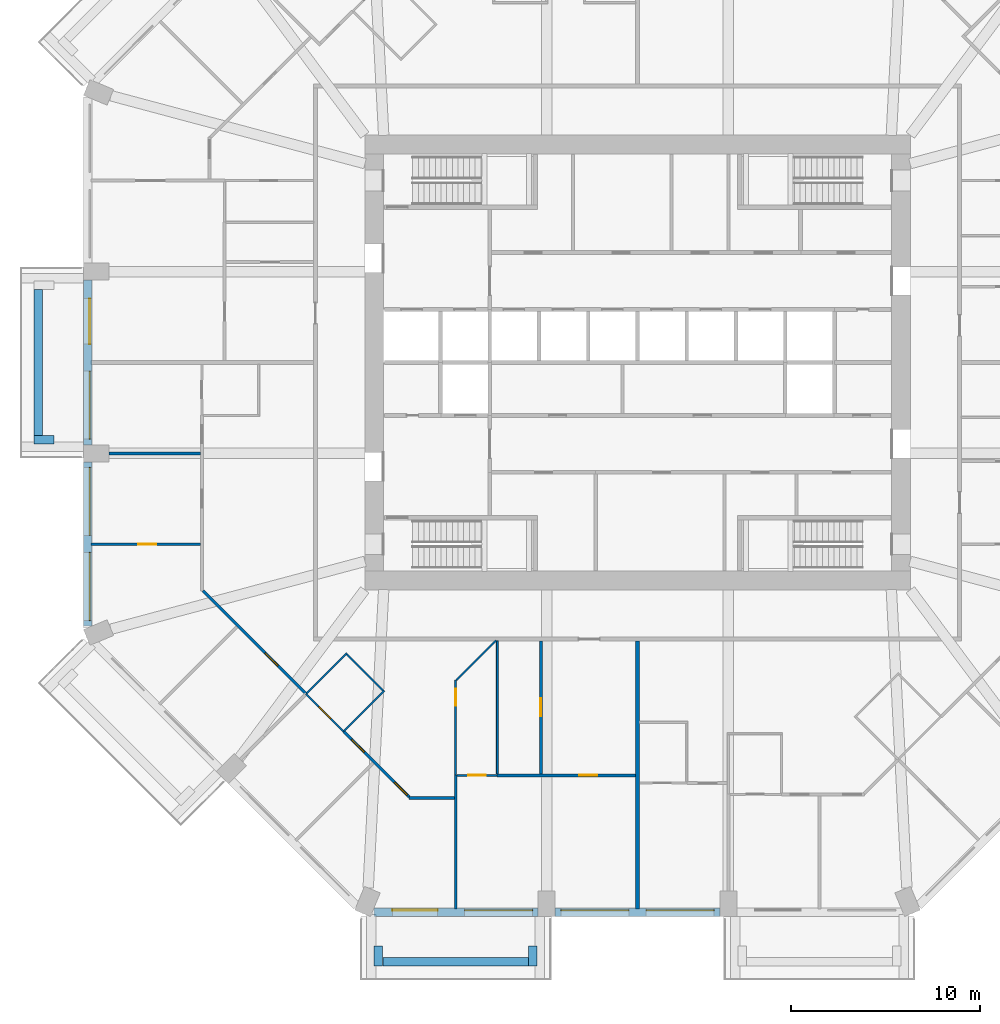
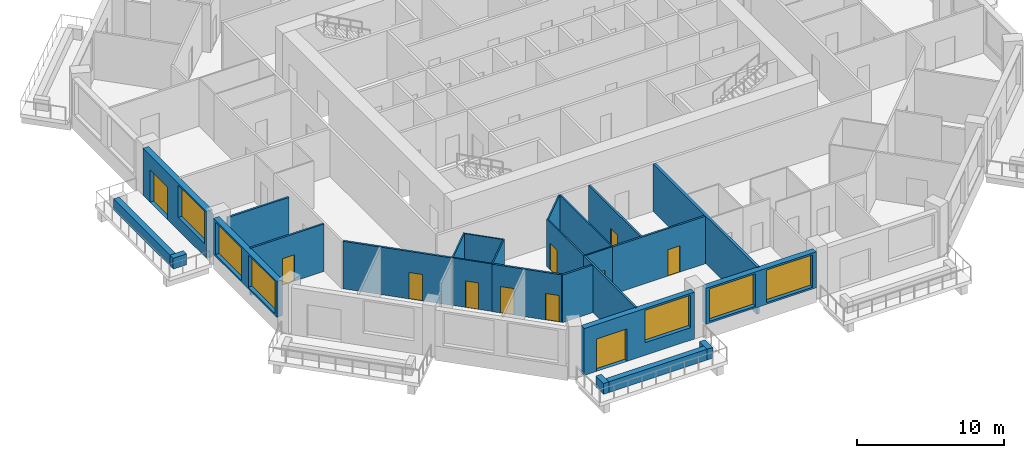
# One storey, part 3 of 13: 26 walls, 11 doors, 6 windows, 17 openings.
"""IFC4 building model written with IfcOpenShell, lengths in metres."""

from ifc_helpers import new_model, si_unit, direction, frame, frame_2d, origin, place, context, subcontext, project, spatial, rectangle, extrude, material, layer, layer_set, type_object, element, fill, save


model = new_model("IFC4")

# Units and contexts
model_context = context("Model", 3, precision=1e-05, world=origin(), true_north=direction((0.0, 1.0)))
body_context = subcontext(model_context, "Body", "Model", "MODEL_VIEW")
ifc_project = project(units=[si_unit("LENGTHUNIT", "METRE"), si_unit("AREAUNIT", "SQUARE_METRE"), si_unit("VOLUMEUNIT", "CUBIC_METRE"), si_unit("PLANEANGLEUNIT", "RADIAN"), si_unit("MASSUNIT", "GRAM", prefix="KILO")], contexts=[model_context])

# Site, building, storey
site_placement = place(None, origin())
site = spatial("IfcSite", under=ifc_project, at=site_placement, CompositionType="ELEMENT")
building_placement = place(site_placement, origin())
building = spatial("IfcBuilding", under=site, at=building_placement, Name="Msitu Wima Residences", CompositionType="ELEMENT")
storey_placement = place(building_placement, frame((0.0, 0.0, 42.300048828125)))
storey = spatial("IfcBuildingStorey", under=building, at=storey_placement, Name="L09", CompositionType="ELEMENT", Elevation=42.300048828125)

# Walls
ifc_material_1 = material(Name="Facing brick")
ifc_layer_1 = layer(ifc_material_1, 0.06494140625, Name="Facing brick")
ifc_material_2 = material(Name="Concrete C40/50", Category="concrete")
ifc_layer_2 = layer(ifc_material_2, 0.156005859375, Name="Concrete C40/50")
ifc_material_3 = material(Name="Waterproofing membrane")
ifc_layer_3 = layer(ifc_material_3, 0.00390625, Name="Waterproofing membrane")
ifc_material_4 = material(Name="Planting soil and planting")
ifc_layer_4 = layer(ifc_material_4, 0.22509765625, Name="Planting soil and planting")
ifc_layer_set_1 = layer_set([ifc_layer_1, ifc_layer_2, ifc_layer_3, ifc_layer_4], Name="Concrete C40/50")
wall_type_1 = type_object("IfcWallType", Name="Balcony planter PLANTER PL450", PredefinedType="USERDEFINED", material=ifc_layer_set_1)
wall_1_placement = place(storey_placement, frame((-31.625, 3.85009765625, 0.0), z_axis=(0.0, 0.0, 1.0), x_axis=(0.0, -1.0, 0.0)))
element("IfcWall", 1, at=wall_1_placement, inside=storey, type_object=wall_type_1, Name="Balcony planter W1 L09", ObjectType="PLANTER", PredefinedType="USERDEFINED", context=body_context, shape_type="SweptSolid", body=[
    extrude(rectangle(XDim=7.7001953125, YDim=0.449951171875, at=frame_2d((3.85009765625, 0.0))), origin(), (0.0, 0.0, 1.0), 0.89990234375),
])
wall_2_placement = place(storey_placement, frame((-30.800048828125, -4.074951171875, 0.0), z_axis=(0.0, 0.0, 1.0), x_axis=(-1.0, 0.0, 0.0)))
element("IfcWall", 2, at=wall_2_placement, inside=storey, type_object=wall_type_1, Name="Balcony planter W1 L09", ObjectType="PLANTER", PredefinedType="USERDEFINED", context=body_context, shape_type="SweptSolid", body=[
    extrude(rectangle(XDim=1.050048828125, YDim=0.449951171875, at=frame_2d((0.52490234375, 0.0))), origin(), (0.0, 0.0, 1.0), 0.89990234375),
])
wall_3_placement = place(storey_placement, frame((-13.449951171875, -31.625, 0.0), z_axis=(0.0, 0.0, 1.0), x_axis=(1.0, 0.0, 0.0)))
element("IfcWall", 3, at=wall_3_placement, inside=storey, type_object=wall_type_1, Name="Balcony planter S0 L09", ObjectType="PLANTER", PredefinedType="USERDEFINED", context=body_context, shape_type="SweptSolid", body=[
    extrude(rectangle(XDim=7.699951171875, YDim=0.449951171875, at=frame_2d((3.85009765625, 0.0))), origin(), (0.0, 0.0, 1.0), 0.89990234375),
])
for number, where, z_axis, x_axis, name in (
    (4, (-13.675048828125, -30.800048828125, 0.0), (0.0, 0.0, 1.0), (0.0, -1.0, 0.0), "Balcony planter S0 L09"),
    (5, (-5.52490234375, -30.800048828125, 0.0), (0.0, 0.0, 1.0), (0.0, -1.0, 0.0), "Balcony planter S0 L09"),
):
    element("IfcWall", number, at=place(storey_placement, frame(where, z_axis=z_axis, x_axis=x_axis)), inside=storey, type_object=wall_type_1, Name=name, ObjectType="PLANTER", PredefinedType="USERDEFINED", context=body_context, shape_type="SweptSolid", body=[
        extrude(rectangle(XDim=1.050048828125, YDim=0.449951171875, at=frame_2d((0.52490234375, 0.0))), origin(), (0.0, 0.0, 1.0), 0.89990234375),
    ])

# Wall, openings, door, window
ifc_material_5 = material(Name="Brick (red buff mix)", Category="masonry")
ifc_layer_5 = layer(ifc_material_5, 0.449951171875)
ifc_layer_set_2 = layer_set([ifc_layer_5], Name="Brick (red buff mix)")
wall_type_2 = type_object("IfcWallType", Name="Brick infill wall BW450", PredefinedType="SOLIDWALL", material=ifc_layer_set_2)
wall_4_placement = place(storey_placement, frame((-29.02490234375, 4.35009765625, 0.0), z_axis=(0.0, 0.0, 1.0), x_axis=(0.0, -1.0, 0.0)))
wall_4 = element("IfcWall", 6, at=wall_4_placement, inside=storey, type_object=wall_type_2, Name="Brick infill wall L09 W1", PredefinedType="SOLIDWALL", context=body_context, shape_type="SweptSolid", body=[
    extrude(rectangle(XDim=8.7001953125, YDim=0.449951171875, at=frame_2d((4.35009765625, 0.0))), origin(), (0.0, 0.0, 1.0), 3.89990234375),
])
opening_1_placement = place(wall_4_placement, frame((0.97509765625, 0.0, 0.0)))
opening_1 = element("IfcOpeningElement", 7, at=opening_1_placement, cuts=wall_4, Name="Opening D08-10.010", PredefinedType="OPENING", context=body_context, shape_type="SweptSolid", body=[
    extrude(rectangle(XDim=2.39990234375, YDim=2.699951171875, at=frame_2d((1.199951171875, 1.35009765625))), frame((0.0, 0.23486328125, 0.0), z_axis=(0.0, -1.0, 0.0), x_axis=(1.0, 0.0, 0.0)), (0.0, 0.0, 1.0), 0.469970703125),
])
opening_2_placement = place(wall_4_placement, frame((4.800048828125, 0.0, 1.050048828125)))
opening_2 = element("IfcOpeningElement", 8, at=opening_2_placement, cuts=wall_4, Name="Opening W08-10.028", PredefinedType="OPENING", context=body_context, shape_type="SweptSolid", body=[
    extrude(rectangle(XDim=3.60009765625, YDim=2.699951171875, at=frame_2d((1.800048828125, 1.35009765625))), frame((0.0, 0.23486328125, 0.0), z_axis=(0.0, -1.0, 0.0), x_axis=(1.0, 0.0, 0.0)), (0.0, 0.0, 1.0), 0.469970703125),
])
ifc_material_6 = material(Name="Anodised aluminium, bronze finish, clear low-emissivity double glazing", Category="aluminium")
door_type_1 = type_object("IfcDoorType", Name="Balcony door D2400x2700", OperationType="SLIDING_TO_LEFT", PredefinedType="DOOR", material=ifc_material_6)
door_1_placement = place(opening_1_placement, origin())
door_1 = element("IfcDoor", 9, at=door_1_placement, inside=storey, type_object=door_type_1, Name="Balcony door L09 W1", OperationType="SINGLE_SWING_LEFT", OverallHeight=2.699951171875, OverallWidth=2.39990234375, PredefinedType="DOOR", context=body_context, shape_type="SweptSolid", body=[
    extrude(rectangle(XDim=2.39990234375, YDim=2.699951171875, at=frame_2d((1.199951171875, 1.35009765625))), frame((0.0, 0.1298828125, 0.0), z_axis=(0.0, -1.0, 0.0), x_axis=(1.0, 0.0, 0.0)), (0.0, 0.0, 1.0), 0.050048828125),
])
fill(opening_1, door_1)
window_type = type_object("IfcWindowType", Name="Window W3600x2700", PartitioningType="DOUBLE_PANEL_VERTICAL", PredefinedType="WINDOW", material=ifc_material_6)
window_1_placement = place(opening_2_placement, origin())
window_1 = element("IfcWindow", 10, at=window_1_placement, inside=storey, type_object=window_type, Name="Window L09 W1.2", OverallHeight=2.699951171875, OverallWidth=3.60009765625, PartitioningType="SINGLE_PANEL", PredefinedType="WINDOW", context=body_context, shape_type="SweptSolid", body=[
    extrude(rectangle(XDim=3.60009765625, YDim=2.699951171875, at=frame_2d((1.800048828125, 1.35009765625))), frame((0.0, 0.135009765625, 0.0), z_axis=(0.0, -1.0, 0.0), x_axis=(1.0, 0.0, 0.0)), (0.0, 0.0, 1.0), 0.06005859375),
])
fill(opening_2, window_1)

# Wall, openings, windows
wall_5_placement = place(storey_placement, frame((-29.02490234375, -5.25, 0.89990234375), z_axis=(0.0, 0.0, 1.0), x_axis=(0.0, -1.0, 0.0)))
wall_5 = element("IfcWall", 11, at=wall_5_placement, inside=storey, type_object=wall_type_2, Name="Brick infill wall L09 W2", PredefinedType="SOLIDWALL", context=body_context, shape_type="SweptSolid", body=[
    extrude(rectangle(XDim=8.662841796875, YDim=0.449951171875, at=frame_2d((4.33154296875, 0.0))), origin(), (0.0, 0.0, 1.0), 3.0),
])
opening_3_placement = place(wall_5_placement, frame((0.281494140625, 0.0, 0.14990234375)))
opening_3 = element("IfcOpeningElement", 12, at=opening_3_placement, cuts=wall_5, Name="Opening W08-10.029", PredefinedType="OPENING", context=body_context, shape_type="SweptSolid", body=[
    extrude(rectangle(XDim=3.60009765625, YDim=2.699951171875, at=frame_2d((1.800048828125, 1.35009765625))), frame((0.0, 0.23486328125, 0.0), z_axis=(0.0, -1.0, 0.0), x_axis=(1.0, 0.0, 0.0)), (0.0, 0.0, 1.0), 0.469970703125),
])
opening_4_placement = place(wall_5_placement, frame((4.781494140625, 0.0, 0.14990234375)))
opening_4 = element("IfcOpeningElement", 13, at=opening_4_placement, cuts=wall_5, Name="Opening W08-10.030", PredefinedType="OPENING", context=body_context, shape_type="SweptSolid", body=[
    extrude(rectangle(XDim=3.60009765625, YDim=2.699951171875, at=frame_2d((1.800048828125, 1.35009765625))), frame((0.0, 0.23486328125, 0.0), z_axis=(0.0, -1.0, 0.0), x_axis=(1.0, 0.0, 0.0)), (0.0, 0.0, 1.0), 0.469970703125),
])
window_2_placement = place(opening_3_placement, origin())
window_2 = element("IfcWindow", 14, at=window_2_placement, inside=storey, type_object=window_type, Name="Window L09 W2.1", OverallHeight=2.699951171875, OverallWidth=3.60009765625, PartitioningType="SINGLE_PANEL", PredefinedType="WINDOW", context=body_context, shape_type="SweptSolid", body=[
    extrude(rectangle(XDim=3.60009765625, YDim=2.699951171875, at=frame_2d((1.800048828125, 1.35009765625))), frame((0.0, 0.135009765625, 0.0), z_axis=(0.0, -1.0, 0.0), x_axis=(1.0, 0.0, 0.0)), (0.0, 0.0, 1.0), 0.06005859375),
])
fill(opening_3, window_2)
window_3_placement = place(opening_4_placement, origin())
window_3 = element("IfcWindow", 15, at=window_3_placement, inside=storey, type_object=window_type, Name="Window L09 W2.2", OverallHeight=2.699951171875, OverallWidth=3.60009765625, PartitioningType="SINGLE_PANEL", PredefinedType="WINDOW", context=body_context, shape_type="SweptSolid", body=[
    extrude(rectangle(XDim=3.60009765625, YDim=2.699951171875, at=frame_2d((1.800048828125, 1.35009765625))), frame((0.0, 0.135009765625, 0.0), z_axis=(0.0, -1.0, 0.0), x_axis=(1.0, 0.0, 0.0)), (0.0, 0.0, 1.0), 0.06005859375),
])
fill(opening_4, window_3)

# Wall, openings, door, window
wall_6_placement = place(storey_placement, frame((-13.912841796875, -29.02490234375, 0.0), z_axis=(0.0, 0.0, 1.0), x_axis=(1.0, 0.0, 0.0)))
wall_6 = element("IfcWall", 16, at=wall_6_placement, inside=storey, type_object=wall_type_2, Name="Brick infill wall L09 S0", PredefinedType="SOLIDWALL", context=body_context, shape_type="SweptSolid", body=[
    extrude(rectangle(XDim=8.662841796875, YDim=0.449951171875, at=frame_2d((4.33154296875, 0.0))), origin(), (0.0, 0.0, 1.0), 3.89990234375),
])
opening_5_placement = place(wall_6_placement, frame((0.9658203125, 0.0, 0.0)))
opening_5 = element("IfcOpeningElement", 17, at=opening_5_placement, cuts=wall_6, Name="Opening D08-10.006", PredefinedType="OPENING", context=body_context, shape_type="SweptSolid", body=[
    extrude(rectangle(XDim=2.39990234375, YDim=2.699951171875, at=frame_2d((1.199951171875, 1.35009765625))), frame((0.0, 0.23486328125, 0.0), z_axis=(0.0, -1.0, 0.0), x_axis=(1.0, 0.0, 0.0)), (0.0, 0.0, 1.0), 0.469970703125),
])
opening_6_placement = place(wall_6_placement, frame((4.781494140625, 0.0, 1.050048828125)))
opening_6 = element("IfcOpeningElement", 18, at=opening_6_placement, cuts=wall_6, Name="Opening W08-10.016", PredefinedType="OPENING", context=body_context, shape_type="SweptSolid", body=[
    extrude(rectangle(XDim=3.60009765625, YDim=2.699951171875, at=frame_2d((1.800048828125, 1.35009765625))), frame((0.0, 0.23486328125, 0.0), z_axis=(0.0, -1.0, 0.0), x_axis=(1.0, 0.0, 0.0)), (0.0, 0.0, 1.0), 0.469970703125),
])
door_2_placement = place(opening_5_placement, origin())
door_2 = element("IfcDoor", 19, at=door_2_placement, inside=storey, type_object=door_type_1, Name="Balcony door L09 S0", OperationType="SINGLE_SWING_LEFT", OverallHeight=2.699951171875, OverallWidth=2.39990234375, PredefinedType="DOOR", context=body_context, shape_type="SweptSolid", body=[
    extrude(rectangle(XDim=2.39990234375, YDim=2.699951171875, at=frame_2d((1.199951171875, 1.35009765625))), frame((0.0, 0.1298828125, 0.0), z_axis=(0.0, -1.0, 0.0), x_axis=(1.0, 0.0, 0.0)), (0.0, 0.0, 1.0), 0.050048828125),
])
fill(opening_5, door_2)
window_4_placement = place(opening_6_placement, origin())
window_4 = element("IfcWindow", 20, at=window_4_placement, inside=storey, type_object=window_type, Name="Window L09 S0.2", OverallHeight=2.699951171875, OverallWidth=3.60009765625, PartitioningType="SINGLE_PANEL", PredefinedType="WINDOW", context=body_context, shape_type="SweptSolid", body=[
    extrude(rectangle(XDim=3.60009765625, YDim=2.699951171875, at=frame_2d((1.800048828125, 1.35009765625))), frame((0.0, 0.135009765625, 0.0), z_axis=(0.0, -1.0, 0.0), x_axis=(1.0, 0.0, 0.0)), (0.0, 0.0, 1.0), 0.06005859375),
])
fill(opening_6, window_4)

# Wall, openings, windows
wall_7_placement = place(storey_placement, frame((-4.35009765625, -29.02490234375, 0.89990234375), z_axis=(0.0, 0.0, 1.0), x_axis=(1.0, 0.0, 0.0)))
wall_7 = element("IfcWall", 21, at=wall_7_placement, inside=storey, type_object=wall_type_2, Name="Brick infill wall L09 S1", PredefinedType="SOLIDWALL", context=body_context, shape_type="SweptSolid", body=[
    extrude(rectangle(XDim=8.7001953125, YDim=0.449951171875, at=frame_2d((4.35009765625, 0.0))), origin(), (0.0, 0.0, 1.0), 3.0),
])
opening_7_placement = place(wall_7_placement, frame((0.300048828125, 0.0, 0.14990234375)))
opening_7 = element("IfcOpeningElement", 22, at=opening_7_placement, cuts=wall_7, Name="Opening W08-10.017", PredefinedType="OPENING", context=body_context, shape_type="SweptSolid", body=[
    extrude(rectangle(XDim=3.60009765625, YDim=2.699951171875, at=frame_2d((1.800048828125, 1.35009765625))), frame((0.0, 0.23486328125, 0.0), z_axis=(0.0, -1.0, 0.0), x_axis=(1.0, 0.0, 0.0)), (0.0, 0.0, 1.0), 0.469970703125),
])
opening_8_placement = place(wall_7_placement, frame((4.800048828125, 0.0, 0.14990234375)))
opening_8 = element("IfcOpeningElement", 23, at=opening_8_placement, cuts=wall_7, Name="Opening W08-10.018", PredefinedType="OPENING", context=body_context, shape_type="SweptSolid", body=[
    extrude(rectangle(XDim=3.60009765625, YDim=2.699951171875, at=frame_2d((1.800048828125, 1.35009765625))), frame((0.0, 0.23486328125, 0.0), z_axis=(0.0, -1.0, 0.0), x_axis=(1.0, 0.0, 0.0)), (0.0, 0.0, 1.0), 0.469970703125),
])
window_5_placement = place(opening_7_placement, origin())
window_5 = element("IfcWindow", 24, at=window_5_placement, inside=storey, type_object=window_type, Name="Window L09 S1.1", OverallHeight=2.699951171875, OverallWidth=3.60009765625, PartitioningType="SINGLE_PANEL", PredefinedType="WINDOW", context=body_context, shape_type="SweptSolid", body=[
    extrude(rectangle(XDim=3.60009765625, YDim=2.699951171875, at=frame_2d((1.800048828125, 1.35009765625))), frame((0.0, 0.135009765625, 0.0), z_axis=(0.0, -1.0, 0.0), x_axis=(1.0, 0.0, 0.0)), (0.0, 0.0, 1.0), 0.06005859375),
])
fill(opening_7, window_5)
window_6_placement = place(opening_8_placement, origin())
window_6 = element("IfcWindow", 25, at=window_6_placement, inside=storey, type_object=window_type, Name="Window L09 S1.2", OverallHeight=2.699951171875, OverallWidth=3.60009765625, PartitioningType="SINGLE_PANEL", PredefinedType="WINDOW", context=body_context, shape_type="SweptSolid", body=[
    extrude(rectangle(XDim=3.60009765625, YDim=2.699951171875, at=frame_2d((1.800048828125, 1.35009765625))), frame((0.0, 0.135009765625, 0.0), z_axis=(0.0, -1.0, 0.0), x_axis=(1.0, 0.0, 0.0)), (0.0, 0.0, 1.0), 0.06005859375),
])
fill(opening_8, window_6)

# Wall, opening, door
ifc_material_7 = material(Name="Plaster")
ifc_layer_6 = layer(ifc_material_7, 0.011962890625, Name="Plaster")
ifc_material_8 = material(Name="Concrete blockwork", Category="masonry")
ifc_layer_7 = layer(ifc_material_8, 0.1259765625, Name="Concrete blockwork")
ifc_layer_8 = layer(ifc_material_7, 0.011962890625, Name="Plaster")
ifc_layer_set_3 = layer_set([ifc_layer_6, ifc_layer_7, ifc_layer_8], Name="Concrete blockwork")
wall_type_3 = type_object("IfcWallType", Name="Partition PW150", PredefinedType="PARTITIONING", material=ifc_layer_set_3)
wall_8_placement = place(storey_placement, frame((-28.85498046875, -9.60009765625, 0.0), z_axis=(0.0, 0.0, 1.0), x_axis=(1.0, 0.0, 0.0)))
wall_8 = element("IfcWall", 26, at=wall_8_placement, inside=storey, type_object=wall_type_3, Name="Partition", PredefinedType="PARTITIONING", context=body_context, shape_type="SweptSolid", body=[
    extrude(rectangle(XDim=5.780029296875, YDim=0.14990234375, at=frame_2d((2.89013671875, 0.0))), origin(), (0.0, 0.0, 1.0), 3.949951171875),
])
opening_9_placement = place(wall_8_placement, frame((2.5, 0.0, 0.0)))
opening_9 = element("IfcOpeningElement", 27, at=opening_9_placement, cuts=wall_8, Name="Opening D08-10.069", PredefinedType="OPENING", context=body_context, shape_type="SweptSolid", body=[
    extrude(rectangle(XDim=0.949951171875, YDim=2.199951171875, at=frame_2d((0.47509765625, 1.10009765625))), frame((0.0, 0.0849609375, 0.0), z_axis=(0.0, -1.0, 0.0), x_axis=(1.0, 0.0, 0.0)), (0.0, 0.0, 1.0), 0.169921875),
])
ifc_material_9 = material(Name="Timber flush door", Category="wood")
door_type_2 = type_object("IfcDoorType", Name="Room door D12 950x2200", OperationType="SINGLE_SWING_LEFT", PredefinedType="DOOR", material=ifc_material_9)
door_3_placement = place(opening_9_placement, origin())
door_3 = element("IfcDoor", 28, at=door_3_placement, inside=storey, type_object=door_type_2, Name="Room door", OperationType="SINGLE_SWING_LEFT", OverallHeight=2.199951171875, OverallWidth=0.949951171875, PredefinedType="DOOR", context=body_context, shape_type="SweptSolid", body=[
    extrude(rectangle(XDim=0.949951171875, YDim=2.199951171875, at=frame_2d((0.47509765625, 1.10009765625))), frame((0.0, 0.02490234375, 0.0), z_axis=(0.0, -1.0, 0.0), x_axis=(1.0, 0.0, 0.0)), (0.0, 0.0, 1.0), 0.050048828125),
])
fill(opening_9, door_3)

# Wall
wall_9_placement = place(storey_placement, frame((-27.89990234375, -4.800048828125, 0.0), z_axis=(0.0, 0.0, 1.0), x_axis=(1.0, 0.0, 0.0)))
element("IfcWall", 29, at=wall_9_placement, inside=storey, type_object=wall_type_3, Name="Partition", PredefinedType="PARTITIONING", context=body_context, shape_type="SweptSolid", body=[
    extrude(rectangle(XDim=4.824951171875, YDim=0.14990234375, at=frame_2d((2.41259765625, 0.0))), origin(), (0.0, 0.0, 1.0), 3.25),
])

# Wall, opening, door
wall_10_placement = place(storey_placement, frame((-22.947021484375, -12.050537109375, 0.0), z_axis=(0.0, 0.0, 1.0), x_axis=(0.707106781187, -0.707106781187, 0.0)))
wall_10 = element("IfcWall", 30, at=wall_10_placement, inside=storey, type_object=wall_type_3, Name="Partition", PredefinedType="PARTITIONING", context=body_context, shape_type="SweptSolid", body=[
    extrude(rectangle(XDim=7.705078125, YDim=0.14990234375, at=frame_2d((3.8525390625, 0.0))), origin(), (0.0, 0.0, 1.0), 3.949951171875),
])
opening_10_placement = place(wall_10_placement, frame((4.64990234375, 0.0, 0.0)))
opening_10 = element("IfcOpeningElement", 31, at=opening_10_placement, cuts=wall_10, Name="Opening D08-10.064", PredefinedType="OPENING", context=body_context, shape_type="SweptSolid", body=[
    extrude(rectangle(XDim=0.949951171875, YDim=2.199951171875, at=frame_2d((0.47509765625, 1.10009765625))), frame((0.0, 0.0849609375, 0.0), z_axis=(0.0, -1.0, 0.0), x_axis=(1.0, 0.0, 0.0)), (0.0, 0.0, 1.0), 0.169921875),
])
door_4_placement = place(opening_10_placement, origin())
door_4 = element("IfcDoor", 32, at=door_4_placement, inside=storey, type_object=door_type_2, Name="Room door", OperationType="SINGLE_SWING_RIGHT", OverallHeight=2.199951171875, OverallWidth=0.949951171875, PredefinedType="DOOR", context=body_context, shape_type="SweptSolid", body=[
    extrude(rectangle(XDim=0.949951171875, YDim=2.199951171875, at=frame_2d((0.47509765625, 1.10009765625))), frame((0.0, 0.02490234375, 0.0), z_axis=(0.0, -1.0, 0.0), x_axis=(1.0, 0.0, 0.0)), (0.0, 0.0, 1.0), 0.050048828125),
])
fill(opening_10, door_4)

# Wall, openings, doors
wall_11_placement = place(storey_placement, frame((-15.518798828125, -19.478759765625, 0.0), z_axis=(0.0, 0.0, 1.0), x_axis=(0.707106781187, -0.707106781187, 0.0)))
wall_11 = element("IfcWall", 33, at=wall_11_placement, inside=storey, type_object=wall_type_3, Name="Partition", PredefinedType="PARTITIONING", context=body_context, shape_type="SweptSolid", body=[
    extrude(rectangle(XDim=4.90478515625, YDim=0.14990234375, at=frame_2d((2.452392578125, 0.0))), origin(), (0.0, 0.0, 1.0), 3.949951171875),
])
opening_11_placement = place(wall_11_placement, frame((0.60009765625, 0.0, 0.0)))
opening_11 = element("IfcOpeningElement", 34, at=opening_11_placement, cuts=wall_11, Name="Opening D08-10.065", PredefinedType="OPENING", context=body_context, shape_type="SweptSolid", body=[
    extrude(rectangle(XDim=0.949951171875, YDim=2.199951171875, at=frame_2d((0.47509765625, 1.10009765625))), frame((0.0, 0.0849609375, 0.0), z_axis=(0.0, -1.0, 0.0), x_axis=(1.0, 0.0, 0.0)), (0.0, 0.0, 1.0), 0.169921875),
])
opening_12_placement = place(wall_11_placement, frame((3.800048828125, 0.0, 0.0)))
opening_12 = element("IfcOpeningElement", 35, at=opening_12_placement, cuts=wall_11, Name="Opening D08-10.070", PredefinedType="OPENING", context=body_context, shape_type="SweptSolid", body=[
    extrude(rectangle(XDim=0.949951171875, YDim=2.199951171875, at=frame_2d((0.47509765625, 1.10009765625))), frame((0.0, 0.0849609375, 0.0), z_axis=(0.0, -1.0, 0.0), x_axis=(1.0, 0.0, 0.0)), (0.0, 0.0, 1.0), 0.169921875),
])
door_5_placement = place(opening_11_placement, origin())
door_5 = element("IfcDoor", 36, at=door_5_placement, inside=storey, type_object=door_type_2, Name="Room door", OperationType="SINGLE_SWING_LEFT", OverallHeight=2.199951171875, OverallWidth=0.949951171875, PredefinedType="DOOR", context=body_context, shape_type="SweptSolid", body=[
    extrude(rectangle(XDim=0.949951171875, YDim=2.199951171875, at=frame_2d((0.47509765625, 1.10009765625))), frame((0.0, 0.02490234375, 0.0), z_axis=(0.0, -1.0, 0.0), x_axis=(1.0, 0.0, 0.0)), (0.0, 0.0, 1.0), 0.050048828125),
])
fill(opening_11, door_5)
door_6_placement = place(opening_12_placement, origin())
door_6 = element("IfcDoor", 37, at=door_6_placement, inside=storey, type_object=door_type_2, Name="Room door", OperationType="SINGLE_SWING_RIGHT", OverallHeight=2.199951171875, OverallWidth=0.949951171875, PredefinedType="DOOR", context=body_context, shape_type="SweptSolid", body=[
    extrude(rectangle(XDim=0.949951171875, YDim=2.199951171875, at=frame_2d((0.47509765625, 1.10009765625))), frame((0.0, 0.02490234375, 0.0), z_axis=(0.0, -1.0, 0.0), x_axis=(1.0, 0.0, 0.0)), (0.0, 0.0, 1.0), 0.050048828125),
])
fill(opening_12, door_6)

# Walls
wall_12_placement = place(storey_placement, frame((-12.072509765625, -23.0, 0.0), z_axis=(0.0, 0.0, 1.0), x_axis=(1.0, 0.0, 0.0)))
element("IfcWall", 38, at=wall_12_placement, inside=storey, type_object=wall_type_3, Name="Partition", PredefinedType="PARTITIONING", context=body_context, shape_type="SweptSolid", body=[
    extrude(rectangle(XDim=2.3974609375, YDim=0.14990234375, at=frame_2d((1.19873046875, 0.0))), origin(), (0.0, 0.0, 1.0), 3.949951171875),
])
wall_13_placement = place(storey_placement, frame((-9.60009765625, -28.85498046875, 0.0), z_axis=(0.0, 0.0, 1.0), x_axis=(0.0, 1.0, 0.0)))
element("IfcWall", 39, at=wall_13_placement, inside=storey, type_object=wall_type_3, Name="Partition", PredefinedType="PARTITIONING", context=body_context, shape_type="SweptSolid", body=[
    extrude(rectangle(XDim=7.074951171875, YDim=0.14990234375, at=frame_2d((3.53759765625, 0.0))), origin(), (0.0, 0.0, 1.0), 3.949951171875),
])

# Wall, opening, door
wall_14_placement = place(storey_placement, frame((-7.419921875, -21.800048828125, 0.0), z_axis=(0.0, 0.0, 1.0), x_axis=(1.0, 0.0, 0.0)))
wall_14 = element("IfcWall", 40, at=wall_14_placement, inside=storey, type_object=wall_type_3, Name="Partition", PredefinedType="PARTITIONING", context=body_context, shape_type="SweptSolid", body=[
    extrude(rectangle(XDim=7.31982421875, YDim=0.14990234375, at=frame_2d((3.659912109375, 0.0))), origin(), (0.0, 0.0, 1.0), 3.949951171875),
])
opening_13_placement = place(wall_14_placement, frame((4.35009765625, 0.0, 0.0)))
opening_13 = element("IfcOpeningElement", 41, at=opening_13_placement, cuts=wall_14, Name="Opening D08-10.058", PredefinedType="OPENING", context=body_context, shape_type="SweptSolid", body=[
    extrude(rectangle(XDim=0.949951171875, YDim=2.199951171875, at=frame_2d((0.47509765625, 1.10009765625))), frame((0.0, 0.0849609375, 0.0), z_axis=(0.0, -1.0, 0.0), x_axis=(1.0, 0.0, 0.0)), (0.0, 0.0, 1.0), 0.169921875),
])
door_7_placement = place(opening_13_placement, origin())
door_7 = element("IfcDoor", 42, at=door_7_placement, inside=storey, type_object=door_type_2, Name="Room door", OperationType="SINGLE_SWING_LEFT", OverallHeight=2.199951171875, OverallWidth=0.949951171875, PredefinedType="DOOR", context=body_context, shape_type="SweptSolid", body=[
    extrude(rectangle(XDim=0.949951171875, YDim=2.199951171875, at=frame_2d((0.47509765625, 1.10009765625))), frame((0.0, 0.02490234375, 0.0), z_axis=(0.0, -1.0, 0.0), x_axis=(1.0, 0.0, 0.0)), (0.0, 0.0, 1.0), 0.050048828125),
])
fill(opening_13, door_7)

wall_15_placement = place(storey_placement, frame((-5.10009765625, -21.72509765625, 0.0), z_axis=(0.0, 0.0, 1.0), x_axis=(0.0, 1.0, 0.0)))
wall_15 = element("IfcWall", 43, at=wall_15_placement, inside=storey, type_object=wall_type_3, Name="Partition", PredefinedType="PARTITIONING", context=body_context, shape_type="SweptSolid", body=[
    extrude(rectangle(XDim=7.025146484375, YDim=0.14990234375, at=frame_2d((3.5126953125, 0.0))), origin(), (0.0, 0.0, 1.0), 3.949951171875),
])
opening_14_placement = place(wall_15_placement, frame((3.050048828125, 0.0, 0.0)))
opening_14 = element("IfcOpeningElement", 44, at=opening_14_placement, cuts=wall_15, Name="Opening D08-10.059", PredefinedType="OPENING", context=body_context, shape_type="SweptSolid", body=[
    extrude(rectangle(XDim=0.949951171875, YDim=2.199951171875, at=frame_2d((0.47509765625, 1.10009765625))), frame((0.0, 0.0849609375, 0.0), z_axis=(0.0, -1.0, 0.0), x_axis=(1.0, 0.0, 0.0)), (0.0, 0.0, 1.0), 0.169921875),
])
door_8_placement = place(opening_14_placement, origin())
door_8 = element("IfcDoor", 45, at=door_8_placement, inside=storey, type_object=door_type_2, Name="Room door", OperationType="SINGLE_SWING_RIGHT", OverallHeight=2.199951171875, OverallWidth=0.949951171875, PredefinedType="DOOR", context=body_context, shape_type="SweptSolid", body=[
    extrude(rectangle(XDim=0.949951171875, YDim=2.199951171875, at=frame_2d((0.47509765625, 1.10009765625))), frame((0.0, 0.02490234375, 0.0), z_axis=(0.0, -1.0, 0.0), x_axis=(1.0, 0.0, 0.0)), (0.0, 0.0, 1.0), 0.050048828125),
])
fill(opening_14, door_8)

# Walls
ifc_layer_9 = layer(ifc_material_7, 0.011962890625, Name="Plaster")
ifc_material_10 = material(Name="Dense concrete blockwork", Category="masonry")
ifc_layer_10 = layer(ifc_material_10, 0.176025390625, Name="Dense concrete blockwork")
ifc_layer_11 = layer(ifc_material_7, 0.011962890625, Name="Plaster")
ifc_layer_set_4 = layer_set([ifc_layer_9, ifc_layer_10, ifc_layer_11], Name="Dense concrete blockwork")
wall_type_4 = type_object("IfcWallType", Name="Party wall PW200", PredefinedType="PARTITIONING", material=ifc_layer_set_4)
wall_16_placement = place(storey_placement, frame((0.0, -28.85498046875, 0.0), z_axis=(0.0, 0.0, 1.0), x_axis=(0.0, 1.0, 0.0)))
element("IfcWall", 46, at=wall_16_placement, inside=storey, type_object=wall_type_4, Name="Party wall", PredefinedType="PARTITIONING", context=body_context, shape_type="SweptSolid", body=[
    extrude(rectangle(XDim=14.155029296875, YDim=0.199951171875, at=frame_2d((7.07763671875, 0.0))), origin(), (0.0, 0.0, 1.0), 3.949951171875),
])
ifc_material_11 = material(Name="Ceramic tiles")
ifc_layer_12 = layer(ifc_material_11, 0.008056640625, Name="Ceramic tiles")
ifc_material_12 = material(Name="Moisture-resistant board")
ifc_layer_13 = layer(ifc_material_12, 0.012451171875, Name="Moisture-resistant board")
ifc_material_13 = material(Name="Light-gauge stud framing with mineral wool")
ifc_layer_14 = layer(ifc_material_13, 0.06689453125, Name="Light-gauge stud framing with mineral wool")
ifc_layer_15 = layer(ifc_material_12, 0.012451171875, Name="Moisture-resistant board")
ifc_layer_set_5 = layer_set([ifc_layer_12, ifc_layer_13, ifc_layer_14, ifc_layer_15], Name="Light-gauge stud framing with mineral wool")
wall_type_5 = type_object("IfcWallType", Name="Wet wall PW100", PredefinedType="PARTITIONING", material=ifc_layer_set_5)
wall_17_placement = place(storey_placement, frame((-17.484619140625, -17.484619140625, 0.0), z_axis=(0.0, 0.0, 1.0), x_axis=(0.707106781187, 0.707106781187, 0.0)))
element("IfcWall", 47, at=wall_17_placement, inside=storey, type_object=wall_type_5, Name="Wet wall", PredefinedType="PARTITIONING", context=body_context, shape_type="SweptSolid", body=[
    extrude(rectangle(XDim=3.030029296875, YDim=0.10009765625, at=frame_2d((1.51513671875, 0.0))), origin(), (0.0, 0.0, 1.0), 3.949951171875),
])

# Wall, opening, door
wall_18_placement = place(storey_placement, frame((-17.498779296875, -17.498779296875, 0.0), z_axis=(0.0, 0.0, 1.0), x_axis=(0.707106781187, -0.707106781187, 0.0)))
wall_18 = element("IfcWall", 48, at=wall_18_placement, inside=storey, type_object=wall_type_5, Name="Wet wall", PredefinedType="PARTITIONING", context=body_context, shape_type="SweptSolid", body=[
    extrude(rectangle(XDim=2.800048828125, YDim=0.10009765625, at=frame_2d((1.39990234375, 0.0))), origin(), (0.0, 0.0, 1.0), 3.949951171875),
])
opening_15_placement = place(wall_18_placement, frame((0.949951171875, 0.0, 0.0)))
opening_15 = element("IfcOpeningElement", 49, at=opening_15_placement, cuts=wall_18, Name="Opening D08-10.066", PredefinedType="OPENING", context=body_context, shape_type="SweptSolid", body=[
    extrude(rectangle(XDim=0.89990234375, YDim=2.199951171875, at=frame_2d((0.449951171875, 1.10009765625))), frame((0.0, 0.06005859375, 0.0), z_axis=(0.0, -1.0, 0.0), x_axis=(1.0, 0.0, 0.0)), (0.0, 0.0, 1.0), 0.1201171875),
])
ifc_material_14 = material(Name="Timber flush door, moisture resistant", Category="wood")
door_type_3 = type_object("IfcDoorType", Name="Bathroom door D03 900x2200", OperationType="SINGLE_SWING_LEFT", PredefinedType="DOOR", material=ifc_material_14)
door_9_placement = place(opening_15_placement, origin())
door_9 = element("IfcDoor", 50, at=door_9_placement, inside=storey, type_object=door_type_3, Name="Bathroom door", OperationType="SINGLE_SWING_LEFT", OverallHeight=2.199951171875, OverallWidth=0.89990234375, PredefinedType="DOOR", context=body_context, shape_type="SweptSolid", body=[
    extrude(rectangle(XDim=0.89990234375, YDim=2.199951171875, at=frame_2d((0.449951171875, 1.10009765625))), frame((0.0, 0.02490234375, 0.0), z_axis=(0.0, -1.0, 0.0), x_axis=(1.0, 0.0, 0.0)), (0.0, 0.0, 1.0), 0.050048828125),
])
fill(opening_15, door_9)

# Walls
wall_19_placement = place(storey_placement, frame((-15.483642578125, -19.443359375, 0.0), z_axis=(0.0, 0.0, 1.0), x_axis=(0.707106781187, 0.707106781187, 0.0)))
element("IfcWall", 51, at=wall_19_placement, inside=storey, type_object=wall_type_5, Name="Wet wall", PredefinedType="PARTITIONING", context=body_context, shape_type="SweptSolid", body=[
    extrude(rectangle(XDim=3.0, YDim=0.10009765625, at=frame_2d((1.5, 0.0))), origin(), (0.0, 0.0, 1.0), 3.949951171875),
])
wall_20_placement = place(storey_placement, frame((-15.342041015625, -15.412841796875, 0.0), z_axis=(0.0, 0.0, 1.0), x_axis=(0.707106781187, -0.707106781187, 0.0)))
element("IfcWall", 52, at=wall_20_placement, inside=storey, type_object=wall_type_5, Name="Wet wall", PredefinedType="PARTITIONING", context=body_context, shape_type="SweptSolid", body=[
    extrude(rectangle(XDim=2.699951171875, YDim=0.10009765625, at=frame_2d((1.35009765625, 0.0))), origin(), (0.0, 0.0, 1.0), 3.949951171875),
])

# Wall, opening, door
wall_21_placement = place(storey_placement, frame((-9.60009765625, -21.780029296875, 0.0), z_axis=(0.0, 0.0, 1.0), x_axis=(0.0, 1.0, 0.0)))
wall_21 = element("IfcWall", 53, at=wall_21_placement, inside=storey, type_object=wall_type_5, Name="Wet wall", PredefinedType="PARTITIONING", context=body_context, shape_type="SweptSolid", body=[
    extrude(rectangle(XDim=5.030029296875, YDim=0.10009765625, at=frame_2d((2.51513671875, 0.0))), origin(), (0.0, 0.0, 1.0), 3.949951171875),
])
opening_16_placement = place(wall_21_placement, frame((3.64990234375, 0.0, 0.0)))
opening_16 = element("IfcOpeningElement", 54, at=opening_16_placement, cuts=wall_21, Name="Opening D08-10.061", PredefinedType="OPENING", context=body_context, shape_type="SweptSolid", body=[
    extrude(rectangle(XDim=0.89990234375, YDim=2.199951171875, at=frame_2d((0.449951171875, 1.10009765625))), frame((0.0, 0.06005859375, 0.0), z_axis=(0.0, -1.0, 0.0), x_axis=(1.0, 0.0, 0.0)), (0.0, 0.0, 1.0), 0.1201171875),
])
door_10_placement = place(opening_16_placement, origin())
door_10 = element("IfcDoor", 55, at=door_10_placement, inside=storey, type_object=door_type_3, Name="Bathroom door", OperationType="SINGLE_SWING_LEFT", OverallHeight=2.199951171875, OverallWidth=0.89990234375, PredefinedType="DOOR", context=body_context, shape_type="SweptSolid", body=[
    extrude(rectangle(XDim=0.89990234375, YDim=2.199951171875, at=frame_2d((0.449951171875, 1.10009765625))), frame((0.0, 0.02490234375, 0.0), z_axis=(0.0, -1.0, 0.0), x_axis=(1.0, 0.0, 0.0)), (0.0, 0.0, 1.0), 0.050048828125),
])
fill(opening_16, door_10)

wall_22_placement = place(storey_placement, frame((-9.52490234375, -21.800048828125, 0.0), z_axis=(0.0, 0.0, 1.0), x_axis=(1.0, 0.0, 0.0)))
wall_22 = element("IfcWall", 56, at=wall_22_placement, inside=storey, type_object=wall_type_5, Name="Wet wall", PredefinedType="PARTITIONING", context=body_context, shape_type="SweptSolid", body=[
    extrude(rectangle(XDim=2.10498046875, YDim=0.10009765625, at=frame_2d((1.052490234375, 0.0))), origin(), (0.0, 0.0, 1.0), 3.949951171875),
])
opening_17_placement = place(wall_22_placement, frame((0.60009765625, 0.0, 0.0)))
opening_17 = element("IfcOpeningElement", 57, at=opening_17_placement, cuts=wall_22, Name="Opening D08-10.060", PredefinedType="OPENING", context=body_context, shape_type="SweptSolid", body=[
    extrude(rectangle(XDim=0.89990234375, YDim=2.199951171875, at=frame_2d((0.449951171875, 1.10009765625))), frame((0.0, 0.06005859375, 0.0), z_axis=(0.0, -1.0, 0.0), x_axis=(1.0, 0.0, 0.0)), (0.0, 0.0, 1.0), 0.1201171875),
])
door_11_placement = place(opening_17_placement, origin())
door_11 = element("IfcDoor", 58, at=door_11_placement, inside=storey, type_object=door_type_3, Name="Bathroom door", OperationType="SINGLE_SWING_RIGHT", OverallHeight=2.199951171875, OverallWidth=0.89990234375, PredefinedType="DOOR", context=body_context, shape_type="SweptSolid", body=[
    extrude(rectangle(XDim=0.89990234375, YDim=2.199951171875, at=frame_2d((0.449951171875, 1.10009765625))), frame((0.0, 0.02490234375, 0.0), z_axis=(0.0, -1.0, 0.0), x_axis=(1.0, 0.0, 0.0)), (0.0, 0.0, 1.0), 0.050048828125),
])
fill(opening_17, door_11)

# Walls
wall_23_placement = place(storey_placement, frame((-9.564697265625, -16.7646484375, 0.0), z_axis=(0.0, 0.0, 1.0), x_axis=(0.707106781187, 0.707106781187, 0.0)))
element("IfcWall", 59, at=wall_23_placement, inside=storey, type_object=wall_type_5, Name="Wet wall", PredefinedType="PARTITIONING", context=body_context, shape_type="SweptSolid", body=[
    extrude(rectangle(XDim=2.96142578125, YDim=0.10009765625, at=frame_2d((1.480712890625, 0.0))), origin(), (0.0, 0.0, 1.0), 3.949951171875),
])
wall_24_placement = place(storey_placement, frame((-7.39990234375, -21.72509765625, 0.0), z_axis=(0.0, 0.0, 1.0), x_axis=(0.0, 1.0, 0.0)))
element("IfcWall", 60, at=wall_24_placement, inside=storey, type_object=wall_type_5, Name="Wet wall", PredefinedType="PARTITIONING", context=body_context, shape_type="SweptSolid", body=[
    extrude(rectangle(XDim=7.025146484375, YDim=0.10009765625, at=frame_2d((3.5126953125, 0.0))), origin(), (0.0, 0.0, 1.0), 3.949951171875),
])

save(model, "model.ifc")
